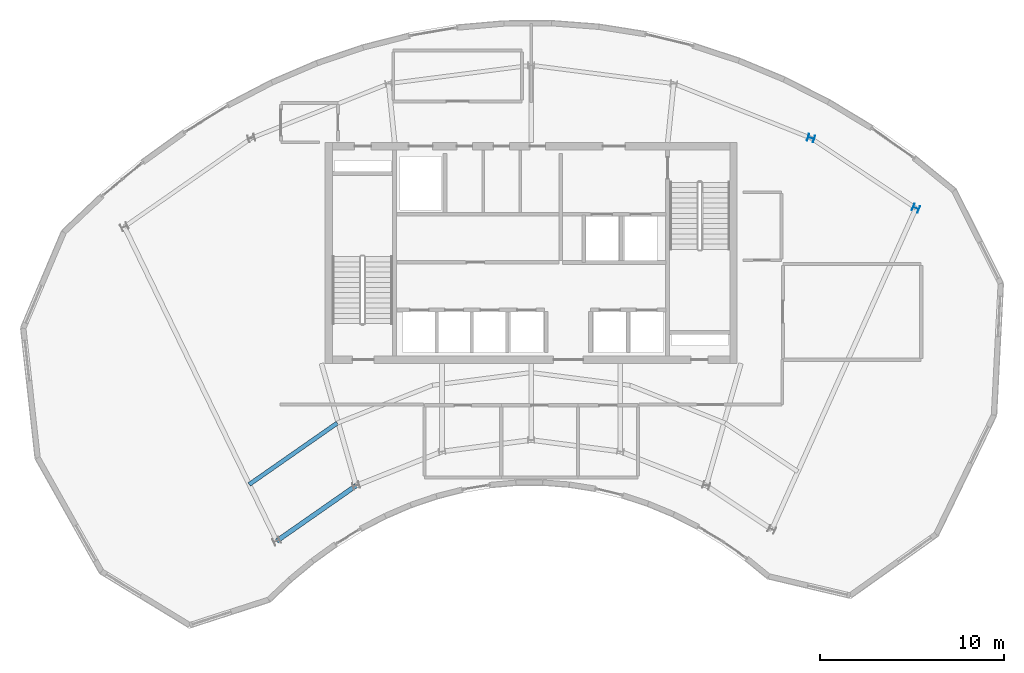
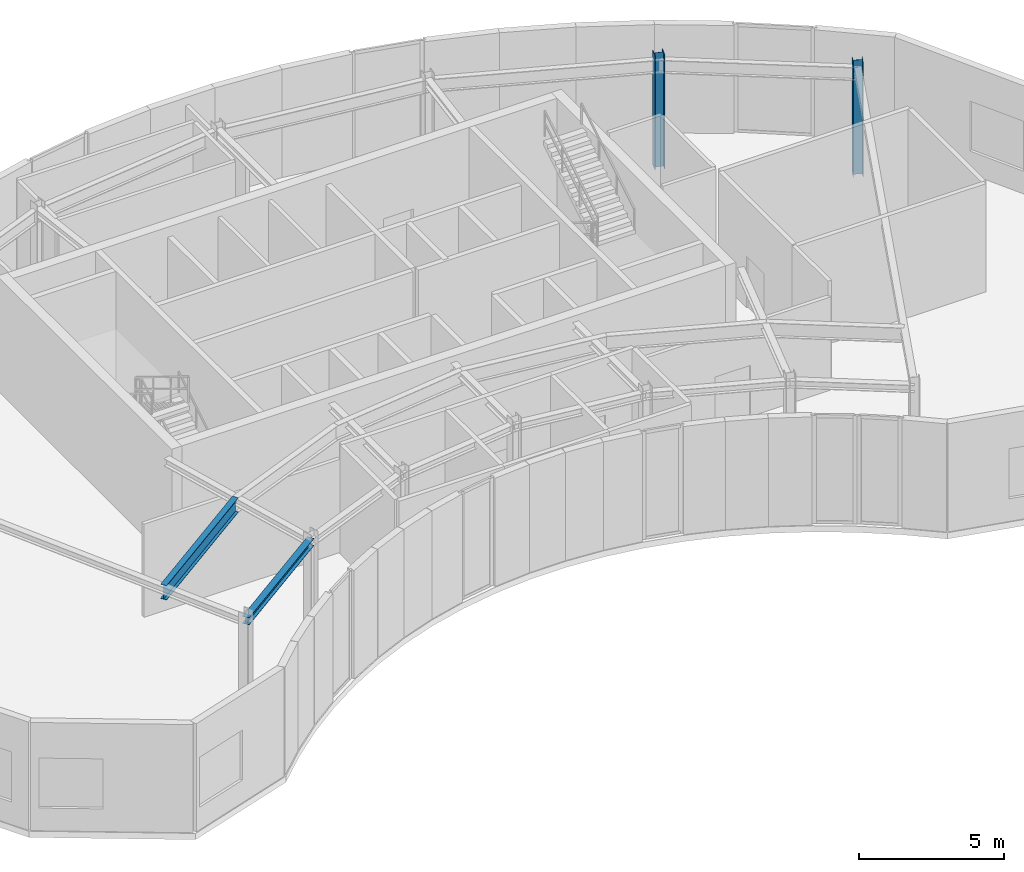
# One storey, part 2 of 10: 2 beams, 2 columns.
"""IFC4 building model written with IfcOpenShell, lengths in metres."""

import ifcopenshell
import ifcopenshell.guid

model = None  # the IFC model being written
_history = None  # IfcOwnerHistory: only IFC2X3 demands one
_inside = {}  # id of a spatial element -> (the spatial element, [elements in it])
_under = {}  # id of a project, library or spatial element -> (it, [spatial elements below it])
_declared = {}  # id of a project -> (the project, [libraries it declares])
_typed = {}  # id of a type object -> (the type object, [elements of that type])
_made_of = {}  # id of a material, layer set ... -> (it, [elements and type objects made of it])


def new_model(schema):
    """Start an empty IFC model of exactly this schema.

    Asked for "IFC4X3", IfcOpenShell would pick the latest addendum, in which some entities
    have other attributes; the version numbers below select the first issue.
    IFC2X3 requires an IfcOwnerHistory on every rooted entity: one is made here for all.
    """
    global model, _history
    if schema == "IFC4X3":
        model = ifcopenshell.file(schema_version=(4, 3, 0, 0))
    else:
        model = ifcopenshell.file(schema=schema)
    _inside.clear()
    _under.clear()
    _declared.clear()
    _typed.clear()
    _made_of.clear()
    _history = None
    if model.schema == "IFC2X3":
        org = make("IfcOrganization", Name="unknown")
        user = make(
            "IfcPersonAndOrganization",
            ThePerson=make("IfcPerson", FamilyName="unknown"),
            TheOrganization=org,
        )
        app = make(
            "IfcApplication",
            ApplicationDeveloper=org,
            Version="unknown",
            ApplicationFullName="unknown",
            ApplicationIdentifier="unknown",
        )
        _history = make(
            "IfcOwnerHistory",
            OwningUser=user,
            OwningApplication=app,
            ChangeAction="ADDED",
            CreationDate=0,
        )
    return model


def make(cls, **values):
    """One entity of the class cls with the attributes given. An attribute that is None is left unset."""
    return model.create_entity(
        cls, **{name: value for name, value in values.items() if value is not None}
    )


def rooted(cls, **values):
    """An entity with a GlobalId (a new one), such as an element, a storey or a relation."""
    return make(cls, GlobalId=ifcopenshell.guid.new(), OwnerHistory=_history, **values)


def si_unit(unit_type, name, prefix=None):
    """IfcSIUnit, for example si_unit("LENGTHUNIT", "METRE", prefix="MILLI")."""
    return make("IfcSIUnit", UnitType=unit_type, Prefix=prefix, Name=name)


def assignment(units):
    """IfcUnitAssignment: the units of a project."""
    return None if units is None else make("IfcUnitAssignment", Units=units)


def point(xyz):
    """IfcCartesianPoint."""
    return None if xyz is None else make("IfcCartesianPoint", Coordinates=xyz)


def direction(xyz):
    """IfcDirection."""
    return None if xyz is None else make("IfcDirection", DirectionRatios=xyz)


def frame(location, z_axis=None, x_axis=None):
    """IfcAxis2Placement3D, a coordinate frame: its origin and axes. An axis left out is left unset."""
    return make(
        "IfcAxis2Placement3D",
        Location=point(location),
        Axis=direction(z_axis),
        RefDirection=direction(x_axis),
    )


def frame_2d(location, x_axis=None):
    """IfcAxis2Placement2D, a coordinate frame in the plane: its origin and x axis."""
    return make(
        "IfcAxis2Placement2D", Location=point(location), RefDirection=direction(x_axis)
    )


def origin():
    """The frame at (0, 0, 0) with its axes left unset."""
    return frame((0.0, 0.0, 0.0))


def origin_2d():
    """The frame at (0, 0) in the plane with its x axis left unset."""
    return frame_2d((0.0, 0.0))


def place(relative_to, where):
    """IfcLocalPlacement: puts the frame where relative to a parent placement (None: the world)."""
    return make(
        "IfcLocalPlacement", PlacementRelTo=relative_to, RelativePlacement=where
    )


def context(
    kind, dimensions, precision=None, world=None, true_north=None, identifier=None
):
    """IfcGeometricRepresentationContext, for example the 3D "Model" context."""
    return make(
        "IfcGeometricRepresentationContext",
        ContextIdentifier=identifier,
        ContextType=kind,
        CoordinateSpaceDimension=dimensions,
        Precision=precision,
        WorldCoordinateSystem=world,
        TrueNorth=true_north,
    )


def subcontext(parent, identifier, kind, view, scale=None):
    """IfcGeometricRepresentationSubContext, for example "Body" below "Model"."""
    return make(
        "IfcGeometricRepresentationSubContext",
        ContextIdentifier=identifier,
        ContextType=kind,
        ParentContext=parent,
        TargetScale=scale,
        TargetView=view,
    )


def project(units=None, contexts=None):
    """IfcProject with its units and contexts."""
    return rooted(
        "IfcProject",
        Name="project",
        RepresentationContexts=contexts,
        UnitsInContext=assignment(units),
    )


def spatial(cls, under=None, at=None, **own):
    """A site, building, storey or space (cls), placed at a placement, below another one or the project."""
    s = rooted(cls, ObjectPlacement=at, **own)
    if under is not None:
        _under.setdefault(under.id(), (under, []))[1].append(s)
    return s


def profile(cls, at=None, kind="AREA", **sizes):
    """A parametric profile (cls). Its sizes go by their IFC names, for example OverallWidth=200.0."""
    return make(cls, ProfileType=kind, Position=at, **sizes)


def i_section(**sizes):
    """IfcIShapeProfileDef."""
    return profile("IfcIShapeProfileDef", **sizes)


def extrude(swept, where, along, depth):
    """IfcExtrudedAreaSolid: the profile swept, set in the frame where, extruded along a direction by depth."""
    return make(
        "IfcExtrudedAreaSolid",
        SweptArea=swept,
        Position=where,
        ExtrudedDirection=direction(along),
        Depth=depth,
    )


def shape(context_of_items, identifier, shape_type, items):
    """IfcShapeRepresentation: the items that make up one representation, for example the "Body"."""
    return make(
        "IfcShapeRepresentation",
        ContextOfItems=context_of_items,
        RepresentationIdentifier=identifier,
        RepresentationType=shape_type,
        Items=items,
    )


def source(mapping_origin, context_of_items, identifier, shape_type, items):
    """IfcRepresentationMap: a shape defined once, which mapped items show again and again."""
    return make(
        "IfcRepresentationMap",
        MappingOrigin=mapping_origin,
        MappedRepresentation=shape(context_of_items, identifier, shape_type, items),
    )


def transform(
    local_origin,
    x_axis=None,
    y_axis=None,
    z_axis=None,
    scale=None,
    scale2=None,
    scale3=None,
    uniform=True,
):
    """IfcCartesianTransformationOperator3D, or its non-uniform kind. x_axis, y_axis, z_axis: its Axis1, 2, 3."""
    if uniform:
        return make(
            "IfcCartesianTransformationOperator3D",
            Axis1=direction(x_axis),
            Axis2=direction(y_axis),
            LocalOrigin=point(local_origin),
            Scale=scale,
            Axis3=direction(z_axis),
        )
    return make(
        "IfcCartesianTransformationOperator3DnonUniform",
        Axis1=direction(x_axis),
        Axis2=direction(y_axis),
        LocalOrigin=point(local_origin),
        Scale=scale,
        Axis3=direction(z_axis),
        Scale2=scale2,
        Scale3=scale3,
    )


def mapped(mapping_source, mapping_target):
    """IfcMappedItem: shows the shape of a source again, moved by a transform."""
    return make(
        "IfcMappedItem", MappingSource=mapping_source, MappingTarget=mapping_target
    )


def material(Name=None, Category=None):
    """IfcMaterial."""
    return make("IfcMaterial", Name=Name, Category=Category)


def material_profile(
    of_material, cross_section, Name=None, Category=None, Priority=None
):
    """IfcMaterialProfile: a cross section and its material."""
    return make(
        "IfcMaterialProfile",
        Name=Name,
        Material=of_material,
        Profile=cross_section,
        Priority=Priority,
        Category=Category,
    )


def profile_set(profiles, Name=None, composite=None):
    """IfcMaterialProfileSet."""
    return make(
        "IfcMaterialProfileSet",
        Name=Name,
        MaterialProfiles=profiles,
        CompositeProfile=composite,
    )


def made_of(thing, what):
    """Note that an element or type object is made of a material, layer set ...; save() writes the relation."""
    if what is not None:
        _made_of.setdefault(what.id(), (what, []))[1].append(thing)
    return thing


def type_object(cls, material=None, **own):
    """A type object (cls), such as IfcWallType, which elements share."""
    return made_of(rooted(cls, **own), material)


def type_shapes(of_type, sources):
    """Give a type object the sources (RepresentationMaps) that its elements show as mapped items."""
    of_type.RepresentationMaps = sources


def element(
    cls,
    number,
    at=None,
    inside=None,
    cuts=None,
    type_object=None,
    material=None,
    context=None,
    identifier="Body",
    shape_type=None,
    held_by="IfcProductDefinitionShape",
    body=None,
    shapes=None,
    **own,
):
    """One element of the class cls, such as IfcWall. Its Tag is "e" and its number.

    at: its placement. inside: the storey or other place that contains it. cuts: it is an
    opening in that element (IfcRelVoidsElement). A single representation is given by context,
    identifier, shape_type and body (its items); several are given by shapes. held_by: the class
    of the entity that holds the representations. save() writes the other relations.
    """
    e = rooted(cls, Tag="e%d" % number, ObjectPlacement=at, **own)
    if body is not None:
        shapes = [shape(context, identifier, shape_type, body)]
    if shapes is not None:
        e.Representation = make(held_by, Representations=shapes)
    if inside is not None:
        _inside.setdefault(inside.id(), (inside, []))[1].append(e)
    if cuts is not None:
        rooted(
            "IfcRelVoidsElement", RelatingBuildingElement=cuts, RelatedOpeningElement=e
        )
    if type_object is not None:
        _typed.setdefault(type_object.id(), (type_object, []))[1].append(e)
    return made_of(e, material)


def aggregate(whole, parts):
    """IfcRelAggregates: a whole, such as a stair, and the parts it consists of."""
    return rooted("IfcRelAggregates", RelatingObject=whole, RelatedObjects=parts)


def save(model, path):
    """Write the relations noted so far, then the file.

    IfcRelAggregates (storeys below a building ...), IfcRelContainedInSpatialStructure (elements
    in a storey), IfcRelDefinesByType, IfcRelAssociatesMaterial and IfcRelDeclares: one each for
    every whole, place, type object, material and project.
    """
    for whole, parts in _under.values():
        aggregate(whole, parts)
    for where, things in _inside.values():
        rooted(
            "IfcRelContainedInSpatialStructure",
            RelatedElements=things,
            RelatingStructure=where,
        )
    for kind, things in _typed.values():
        rooted("IfcRelDefinesByType", RelatedObjects=things, RelatingType=kind)
    for what, things in _made_of.values():
        rooted("IfcRelAssociatesMaterial", RelatedObjects=things, RelatingMaterial=what)
    for by, libraries in _declared.values():
        rooted("IfcRelDeclares", RelatingContext=by, RelatedDefinitions=libraries)
    model.write(path)


model = new_model("IFC4")

# Units and contexts
model_context = context("Model", 3, precision=1e-05, world=origin(), true_north=direction((0.0, 1.0)))
body_context = subcontext(model_context, "Body", "Model", "MODEL_VIEW")
ifc_project = project(units=[si_unit("LENGTHUNIT", "METRE"), si_unit("AREAUNIT", "SQUARE_METRE"), si_unit("VOLUMEUNIT", "CUBIC_METRE"), si_unit("PLANEANGLEUNIT", "RADIAN"), si_unit("MASSUNIT", "GRAM", prefix="KILO")], contexts=[model_context])

# Site, building, storey
site_placement = place(None, origin())
site = spatial("IfcSite", under=ifc_project, at=site_placement, CompositionType="ELEMENT")
building_placement = place(site_placement, origin())
building = spatial("IfcBuilding", under=site, at=building_placement, Name="Breltana Convention Tower", CompositionType="ELEMENT")
storey_placement = place(building_placement, frame((0.0, 0.0, 303.0)))
storey = spatial("IfcBuildingStorey", under=building, at=storey_placement, Name="L74", CompositionType="ELEMENT", Elevation=303.0)

# Columns
ifc_material = material(Name="Steel ASTM A992 Grade 50", Category="steel")
ifc_material_profile_1 = material_profile(ifc_material, i_section(OverallWidth=0.368896484375, OverallDepth=0.35595703125, WebThickness=0.01123046875, FlangeThickness=0.01806640625, at=origin_2d()), Name="W14X90")
ifc_profile_set_1 = profile_set([ifc_material_profile_1], Name="Steel ASTM A992 Grade 50")
column_type = type_object("IfcColumnType", Name="COL-STL-W14X90", PredefinedType="COLUMN", material=ifc_profile_set_1)
shared_shape_1 = source(origin(), body_context, "Body", "SweptSolid", [
    extrude(i_section(OverallWidth=0.368896484375, OverallDepth=0.35595703125, WebThickness=0.01123046875, FlangeThickness=0.01806640625, at=origin_2d()), origin(), (0.0, 0.0, 1.0), 4.800048828125),
])
type_shapes(column_type, [shared_shape_1])
for number, where, z_axis, x_axis, name in (
    (1, (63.208984375, 72.4423828125, 0.0), (0.0, 0.0, 1.0), (0.288697611798, 0.957420330337, 0.0), "L74 Tower Column R08-OUT"),
    (2, (68.910400390625, 68.63330078125, 0.0), (0.0, 0.0, 1.0), (0.409126902895, 0.912477494148, 0.0), "L74 Tower Column R09-OUT"),
):
    element("IfcColumn", number, at=place(storey_placement, frame(where, z_axis=z_axis, x_axis=x_axis)), inside=storey, type_object=column_type, Name=name, PredefinedType="COLUMN", context=body_context, shape_type="MappedRepresentation", body=[
        mapped(shared_shape_1, transform((0.0, 0.0, 0.0), scale=1.0)),
    ])

# Beams
ifc_material_profile_2 = material_profile(ifc_material, i_section(OverallWidth=0.25390625, OverallDepth=0.305908203125, WebThickness=0.0087890625, FlangeThickness=0.0146484375, at=origin_2d()), Name="W12X53")
ifc_profile_set_2 = profile_set([ifc_material_profile_2], Name="Steel ASTM A992 Grade 50")
beam_type_1 = type_object("IfcBeamType", Name="BM-CN-W12X53", PredefinedType="BEAM", material=ifc_profile_set_2)
shared_shape_2 = source(origin(), body_context, "Body", "SweptSolid", [
    extrude(i_section(OverallWidth=0.25390625, OverallDepth=0.305908203125, WebThickness=0.0087890625, FlangeThickness=0.0146484375, at=origin_2d()), origin(), (0.0, 0.0, 1.0), 5.265869140625),
])
beam_1_placement = place(storey_placement, frame((34.166259765625, 50.544921875, 4.386962890625), z_axis=(0.820167429517, 0.572123577176, 0.0), x_axis=(-0.572123577176, 0.820167429517, 0.0)))
element("IfcBeam", 3, at=beam_1_placement, inside=storey, type_object=beam_type_1, Name="L74 Inner Ring Beam 03", PredefinedType="BEAM", context=body_context, shape_type="MappedRepresentation", body=[
    mapped(shared_shape_2, transform((0.0, 0.0, 0.0), scale=1.0)),
])
ifc_material_profile_3 = material_profile(ifc_material, i_section(OverallWidth=0.22802734375, OverallDepth=0.60791015625, WebThickness=0.01123046875, FlangeThickness=0.017333984375, at=origin_2d()), Name="W24X76")
ifc_profile_set_3 = profile_set([ifc_material_profile_3], Name="Steel ASTM A992 Grade 50")
beam_type_2 = type_object("IfcBeamType", Name="BM-JSG-02", PredefinedType="JOIST", material=ifc_profile_set_3)
shared_shape_3 = source(origin(), body_context, "Body", "SweptSolid", [
    extrude(i_section(OverallWidth=0.22802734375, OverallDepth=0.60791015625, WebThickness=0.01123046875, FlangeThickness=0.017333984375, at=origin_2d()), origin(), (0.0, 0.0, 1.0), 5.8330078125),
])
beam_2_placement = place(storey_placement, frame((32.676025390625, 53.619873046875, 4.236083984375), z_axis=(0.820198204115, 0.572079457739, 0.0), x_axis=(-0.572079457739, 0.820198204115, 0.0)))
element("IfcBeam", 4, at=beam_2_placement, inside=storey, type_object=beam_type_2, Name="L74 Composite Floor Joist 03.1", PredefinedType="JOIST", context=body_context, shape_type="MappedRepresentation", body=[
    mapped(shared_shape_3, transform((0.0, 0.0, 0.0), scale=1.0)),
])

save(model, "model.ifc")
